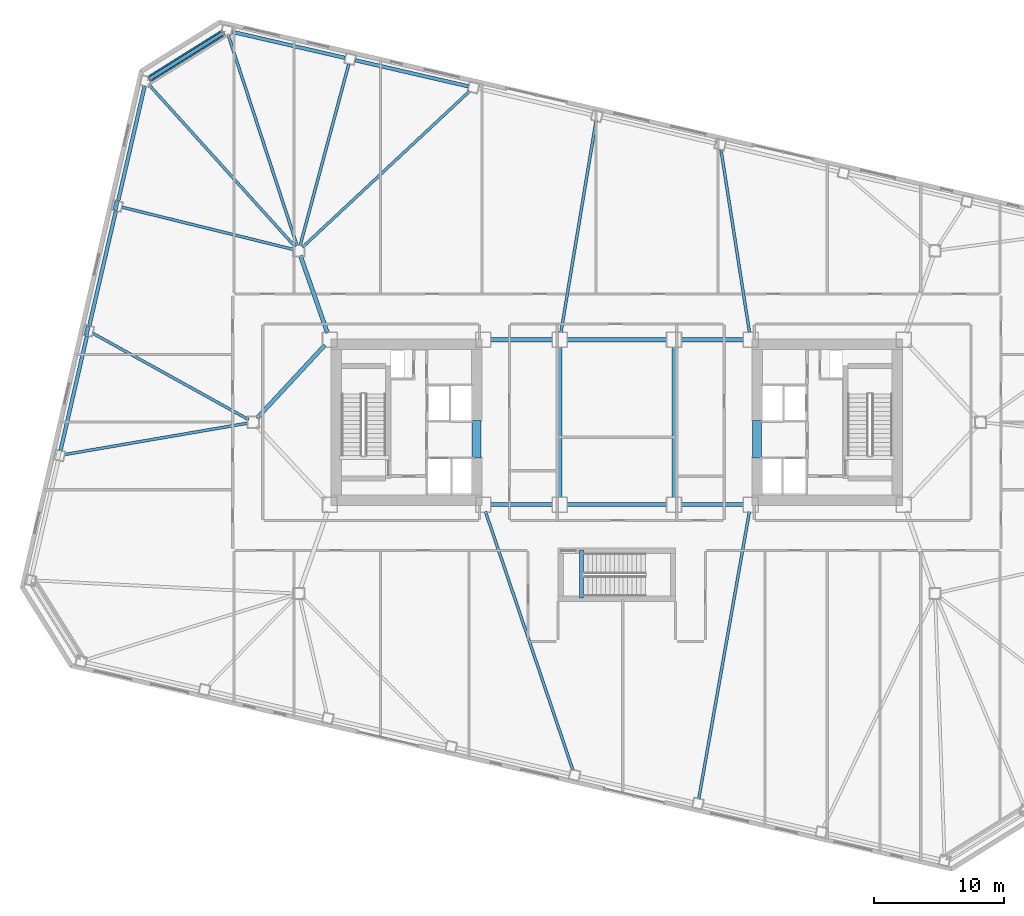
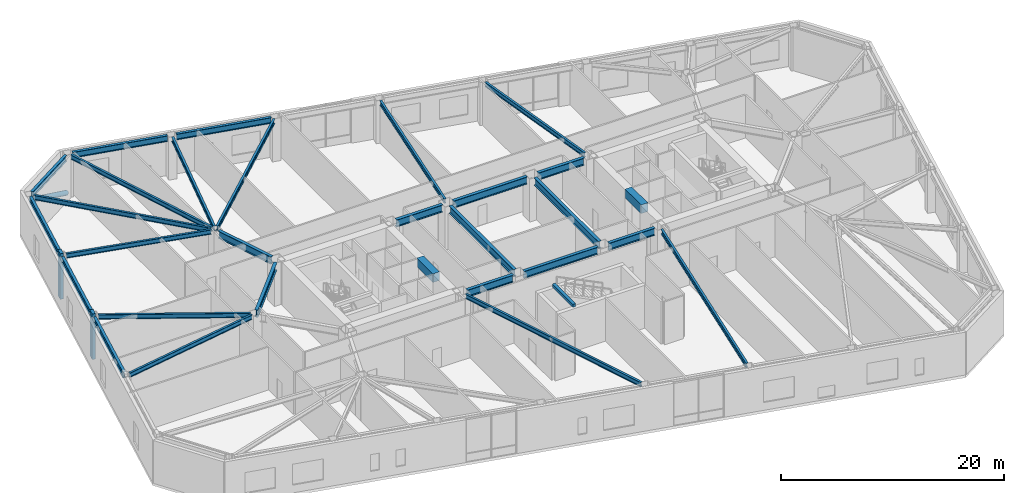
# One storey, part 5 of 20: 30 beams, 3 members.
"""IFC4 building model written with IfcOpenShell, lengths in metres."""

from ifc_helpers import new_model, si_unit, direction, frame, origin, origin_2d, place, context, subcontext, project, spatial, rectangle, hollow_circle, i_section, extrude, material, material_profile, profile_set, type_object, element, save


model = new_model("IFC4")

# Units and contexts
model_context = context("Model", 3, precision=1e-05, world=origin(), true_north=direction((0.0, 1.0)))
body_context = subcontext(model_context, "Body", "Model", "MODEL_VIEW")
ifc_project = project(units=[si_unit("LENGTHUNIT", "METRE"), si_unit("AREAUNIT", "SQUARE_METRE"), si_unit("VOLUMEUNIT", "CUBIC_METRE"), si_unit("PLANEANGLEUNIT", "RADIAN"), si_unit("MASSUNIT", "GRAM", prefix="KILO")], contexts=[model_context])

# Site, building, storey
site_placement = place(None, origin())
site = spatial("IfcSite", under=ifc_project, at=site_placement, CompositionType="ELEMENT")
building_placement = place(site_placement, origin())
building = spatial("IfcBuilding", under=site, at=building_placement, Name="Tavrogorsk Clinical Tower", CompositionType="ELEMENT")
storey_placement = place(building_placement, frame((0.0, 0.0, 23.39990234375)))
storey = spatial("IfcBuildingStorey", under=building, at=storey_placement, Name="L04", CompositionType="ELEMENT", Elevation=23.39990234375)

# Beams
ifc_material_1 = material(Name="Concrete B80", Category="concrete")
ifc_material_profile_1 = material_profile(ifc_material_1, rectangle(XDim=0.699951171875, YDim=0.949951171875, at=origin_2d()), Name="RC-CB-700x950")
ifc_profile_set_1 = profile_set([ifc_material_profile_1], Name="Concrete B80")
beam_type_1 = type_object("IfcBeamType", Name="CouplingBeam_RC700x950", PredefinedType="LINTEL", material=ifc_profile_set_1)
for number, where, z_axis, x_axis, name in (
    (1, (-10.800048828125, -2.75, 4.22509765625), (0.0, 1.0, 0.0), (-1.0, 0.0, 0.0), "L04 Core West Coupling Beam"),
    (2, (10.800048828125, -2.75, 4.22509765625), (0.0, 1.0, 0.0), (-1.0, 0.0, 0.0), "L04 Core East Coupling Beam"),
):
    element("IfcBeam", number, at=place(storey_placement, frame(where, z_axis=z_axis, x_axis=x_axis)), inside=storey, type_object=beam_type_1, Name=name, PredefinedType="LINTEL", context=body_context, shape_type="SweptSolid", body=[
        extrude(rectangle(XDim=0.699951171875, YDim=0.949951171875, at=origin_2d()), origin(), (0.0, 0.0, 1.0), 2.89990234375),
    ])

# Member
ifc_material_2 = material(Name="Structural steel S440", Category="steel")
ifc_material_profile_2 = material_profile(ifc_material_2, hollow_circle(Radius=0.25390625, WallThickness=0.02001953125, at=origin_2d()), Name="CHS-508x20")
ifc_profile_set_2 = profile_set([ifc_material_profile_2], Name="Structural steel S440")
member_type_1 = type_object("IfcMemberType", Name="ExoBrace_CHS508", PredefinedType="BRACE", material=ifc_profile_set_2)
member_placement = place(storey_placement, frame((-30.348876953125, 29.96337890625, 0.4833984375), z_axis=(-0.757567326236, -0.473364357029, 0.449464049413), x_axis=(0.529906183758, -0.848056269604, 0.0)))
element("IfcMember", 3, at=member_placement, inside=storey, type_object=member_type_1, Name="L04 Corner Exoskeleton Brace N8-W1", PredefinedType="BRACE", context=body_context, shape_type="SweptSolid", body=[
    extrude(hollow_circle(Radius=0.25390625, WallThickness=0.02001953125, at=origin_2d()), origin(), (0.0, 0.0, 1.0), 7.416015625),
])

# Beams
ifc_material_3 = material(Name="Structural steel S355", Category="steel")
ifc_material_profile_3 = material_profile(ifc_material_3, i_section(OverallWidth=0.219970703125, OverallDepth=0.5, WebThickness=0.012939453125, FlangeThickness=0.02001953125, at=origin_2d()), Name="B-500x220x13x20")
ifc_profile_set_3 = profile_set([ifc_material_profile_3], Name="Structural steel S355")
beam_type_2 = type_object("IfcBeamType", Name="FloorBeam_B500", PredefinedType="BEAM", material=ifc_profile_set_3)
beam_1_placement = place(storey_placement, frame((-10.12060546875, -6.88037109375, 4.4501953125), z_axis=(0.320354062285, -0.947297880699, 0.0), x_axis=(0.947297880699, 0.320354062285, 0.0)))
element("IfcBeam", 4, at=beam_1_placement, inside=storey, type_object=beam_type_2, Name="L04 Radial Floor Beam S5", PredefinedType="BEAM", context=body_context, shape_type="SweptSolid", body=[
    extrude(i_section(OverallWidth=0.219970703125, OverallDepth=0.5, WebThickness=0.012939453125, FlangeThickness=0.02001953125, at=origin_2d()), origin(), (0.0, 0.0, 1.0), 21.0185546875),
])
beam_2_placement = place(storey_placement, frame((10.202880859375, -6.901611328125, 4.4501953125), z_axis=(-0.173586433417, -0.984818638194, 0.0), x_axis=(0.984818638194, -0.173586433417, 0.0)))
element("IfcBeam", 5, at=beam_2_placement, inside=storey, type_object=beam_type_2, Name="L04 Radial Floor Beam S6", PredefinedType="BEAM", context=body_context, shape_type="SweptSolid", body=[
    extrude(i_section(OverallWidth=0.219970703125, OverallDepth=0.5, WebThickness=0.012939453125, FlangeThickness=0.02001953125, at=origin_2d()), origin(), (0.0, 0.0, 1.0), 22.407470703125),
])
beam_3_placement = place(storey_placement, frame((10.213623046875, 6.9033203125, 4.4501953125), z_axis=(-0.154089917001, 0.988056829073, 0.0), x_axis=(-0.988056829073, -0.154089917001, 0.0)))
element("IfcBeam", 6, at=beam_3_placement, inside=storey, type_object=beam_type_2, Name="L04 Radial Floor Beam N4", PredefinedType="BEAM", context=body_context, shape_type="SweptSolid", body=[
    extrude(i_section(OverallWidth=0.219970703125, OverallDepth=0.5, WebThickness=0.012939453125, FlangeThickness=0.02001953125, at=origin_2d()), origin(), (0.0, 0.0, 1.0), 14.24853515625),
])
beam_4_placement = place(storey_placement, frame((-4.308349609375, 6.90234375, 4.4501953125), z_axis=(0.163563683006, 0.986532777763, 0.0), x_axis=(-0.986532777763, 0.163563683006, 0.0)))
element("IfcBeam", 7, at=beam_4_placement, inside=storey, type_object=beam_type_2, Name="L04 Radial Floor Beam N5", PredefinedType="BEAM", context=body_context, shape_type="SweptSolid", body=[
    extrude(i_section(OverallWidth=0.219970703125, OverallDepth=0.5, WebThickness=0.012939453125, FlangeThickness=0.02001953125, at=origin_2d()), origin(), (0.0, 0.0, 1.0), 16.4951171875),
])
beam_5_placement = place(storey_placement, frame((-24.200439453125, 13.47998046875, 4.4501953125), z_axis=(0.730781163302, 0.682611816015, 0.0), x_axis=(-0.682611816015, 0.730781163302, 0.0)))
element("IfcBeam", 8, at=beam_5_placement, inside=storey, type_object=beam_type_2, Name="L04 Radial Floor Beam N6", PredefinedType="BEAM", context=body_context, shape_type="SweptSolid", body=[
    extrude(i_section(OverallWidth=0.219970703125, OverallDepth=0.5, WebThickness=0.012939453125, FlangeThickness=0.02001953125, at=origin_2d()), origin(), (0.0, 0.0, 1.0), 17.597412109375),
])
beam_6_placement = place(storey_placement, frame((-24.393798828125, 13.595947265625, 4.4501953125), z_axis=(0.25900262632, 0.965876617151, 0.0), x_axis=(-0.965876617151, 0.25900262632, 0.0)))
element("IfcBeam", 9, at=beam_6_placement, inside=storey, type_object=beam_type_2, Name="L04 Radial Floor Beam N7", PredefinedType="BEAM", context=body_context, shape_type="SweptSolid", body=[
    extrude(i_section(OverallWidth=0.219970703125, OverallDepth=0.5, WebThickness=0.012939453125, FlangeThickness=0.02001953125, at=origin_2d()), origin(), (0.0, 0.0, 1.0), 14.46728515625),
])
beam_7_placement = place(storey_placement, frame((-24.62744140625, 13.58984375, 4.4501953125), z_axis=(-0.310546210819, 0.950558283824, 0.0), x_axis=(-0.950558283824, -0.310546210819, 0.0)))
element("IfcBeam", 10, at=beam_7_placement, inside=storey, type_object=beam_type_2, Name="L04 Radial Floor Beam N8", PredefinedType="BEAM", context=body_context, shape_type="SweptSolid", body=[
    extrude(i_section(OverallWidth=0.219970703125, OverallDepth=0.5, WebThickness=0.012939453125, FlangeThickness=0.02001953125, at=origin_2d()), origin(), (0.0, 0.0, 1.0), 17.0205078125),
])
beam_8_placement = place(storey_placement, frame((-24.774658203125, 13.50439453125, 4.4501953125), z_axis=(-0.669660294237, 0.742667550337, 0.0), x_axis=(-0.742667550337, -0.669660294237, 0.0)))
element("IfcBeam", 11, at=beam_8_placement, inside=storey, type_object=beam_type_2, Name="L04 Radial Floor Beam W1", PredefinedType="BEAM", context=body_context, shape_type="SweptSolid", body=[
    extrude(i_section(OverallWidth=0.219970703125, OverallDepth=0.5, WebThickness=0.012939453125, FlangeThickness=0.02001953125, at=origin_2d()), origin(), (0.0, 0.0, 1.0), 16.76708984375),
])
beam_9_placement = place(storey_placement, frame((-24.89794921875, 13.298095703125, 4.4501953125), z_axis=(-0.970889910259, 0.23952616174, 0.0), x_axis=(-0.23952616174, -0.970889910259, 0.0)))
element("IfcBeam", 12, at=beam_9_placement, inside=storey, type_object=beam_type_2, Name="L04 Radial Floor Beam W2", PredefinedType="BEAM", context=body_context, shape_type="SweptSolid", body=[
    extrude(i_section(OverallWidth=0.219970703125, OverallDepth=0.5, WebThickness=0.012939453125, FlangeThickness=0.02001953125, at=origin_2d()), origin(), (0.0, 0.0, 1.0), 13.595947265625),
])
beam_10_placement = place(storey_placement, frame((-28.358642578125, 0.19873046875, 4.4501953125), z_axis=(-0.874654711976, 0.484746464472, 0.0), x_axis=(-0.484746464472, -0.874654711976, 0.0)))
element("IfcBeam", 13, at=beam_10_placement, inside=storey, type_object=beam_type_2, Name="L04 Radial Floor Beam W3", PredefinedType="BEAM", context=body_context, shape_type="SweptSolid", body=[
    extrude(i_section(OverallWidth=0.219970703125, OverallDepth=0.5, WebThickness=0.012939453125, FlangeThickness=0.02001953125, at=origin_2d()), origin(), (0.0, 0.0, 1.0), 13.7158203125),
])
beam_11_placement = place(storey_placement, frame((-28.404052734375, -0.0693359375, 4.4501953125), z_axis=(-0.985592408786, -0.169137824698, 0.0), x_axis=(0.169137824698, -0.985592408786, 0.0)))
element("IfcBeam", 14, at=beam_11_placement, inside=storey, type_object=beam_type_2, Name="L04 Radial Floor Beam W4", PredefinedType="BEAM", context=body_context, shape_type="SweptSolid", body=[
    extrude(i_section(OverallWidth=0.219970703125, OverallDepth=0.5, WebThickness=0.012939453125, FlangeThickness=0.02001953125, at=origin_2d()), origin(), (0.0, 0.0, 1.0), 14.33056640625),
])

# Members
ifc_material_4 = material(Name="Precast concrete B45 with limestone cladding", Category="masonry")
ifc_material_profile_4 = material_profile(ifc_material_4, rectangle(XDim=0.320068359375, YDim=0.719970703125, at=origin_2d()), Name="LIMESTONE-FIN-320x720")
ifc_profile_set_4 = profile_set([ifc_material_profile_4], Name="Precast concrete B45 with limestone cladding")
member_type_2 = type_object("IfcMemberType", Name="LimestonePleatFin_320x720", PredefinedType="USERDEFINED", material=ifc_profile_set_4)
for number, where, z_axis, x_axis, name in (
    (15, (-38.572265625, 16.67041015625, 0.0), (0.0, 0.0, 1.0), (0.974370064785, -0.224951054344, 0.0), "L04 W Pleated Stone Fin 1"),
    (16, (-40.7900390625, 7.06298828125, 0.0), (0.0, 0.0, 1.0), (0.974370064785, -0.224951054344, 0.0), "L04 W Pleated Stone Fin 2"),
):
    element("IfcMember", number, at=place(storey_placement, frame(where, z_axis=z_axis, x_axis=x_axis)), inside=storey, type_object=member_type_2, Name=name, ObjectType="FIN", PredefinedType="USERDEFINED", context=body_context, shape_type="SweptSolid", body=[
        extrude(rectangle(XDim=0.320068359375, YDim=0.719970703125, at=origin_2d()), origin(), (0.0, 0.0, 1.0), 5.0),
    ])

# Beams
ifc_material_5 = material(Name="Structural steel S390", Category="steel")
ifc_material_profile_5 = material_profile(ifc_material_5, i_section(OverallWidth=0.320068359375, OverallDepth=0.800048828125, WebThickness=0.02001953125, FlangeThickness=0.033935546875, at=origin_2d()), Name="B-800x320x20x34")
ifc_profile_set_5 = profile_set([ifc_material_profile_5], Name="Structural steel S390")
beam_type_3 = type_object("IfcBeamType", Name="PrimaryGirder_B800", PredefinedType="USERDEFINED", material=ifc_profile_set_5)
for number, where, z_axis, x_axis, name in (
    (17, (-9.739990234375, -6.35009765625, 4.300048828125), (1.0, 0.0, 0.0), (0.0, 1.0, 0.0), "L04 Primary Spine Girder MG-01"),
    (18, (-9.739990234375, 6.35009765625, 4.300048828125), (1.0, 0.0, 0.0), (0.0, 1.0, 0.0), "L04 Primary Spine Girder MG-02"),
):
    element("IfcBeam", number, at=place(storey_placement, frame(where, z_axis=z_axis, x_axis=x_axis)), inside=storey, type_object=beam_type_3, Name=name, ObjectType="GIRDER", PredefinedType="USERDEFINED", context=body_context, shape_type="SweptSolid", body=[
        extrude(i_section(OverallWidth=0.320068359375, OverallDepth=0.800048828125, WebThickness=0.02001953125, FlangeThickness=0.033935546875, at=origin_2d()), origin(), (0.0, 0.0, 1.0), 4.780029296875),
    ])
for number, where, z_axis, x_axis, name in (
    (19, (-3.840087890625, -6.35009765625, 4.300048828125), (1.0, 0.0, 0.0), (0.0, 1.0, 0.0), "L04 Primary Spine Girder MG-03"),
    (20, (-3.840087890625, 6.35009765625, 4.300048828125), (1.0, 0.0, 0.0), (0.0, 1.0, 0.0), "L04 Primary Spine Girder MG-04"),
):
    element("IfcBeam", number, at=place(storey_placement, frame(where, z_axis=z_axis, x_axis=x_axis)), inside=storey, type_object=beam_type_3, Name=name, ObjectType="GIRDER", PredefinedType="USERDEFINED", context=body_context, shape_type="SweptSolid", body=[
        extrude(i_section(OverallWidth=0.320068359375, OverallDepth=0.800048828125, WebThickness=0.02001953125, FlangeThickness=0.033935546875, at=origin_2d()), origin(), (0.0, 0.0, 1.0), 7.68017578125),
    ])
for number, where, z_axis, x_axis, name in (
    (21, (4.9599609375, -6.35009765625, 4.300048828125), (1.0, 0.0, 0.0), (0.0, 1.0, 0.0), "L04 Primary Spine Girder MG-05"),
    (22, (4.9599609375, 6.35009765625, 4.300048828125), (1.0, 0.0, 0.0), (0.0, 1.0, 0.0), "L04 Primary Spine Girder MG-06"),
):
    element("IfcBeam", number, at=place(storey_placement, frame(where, z_axis=z_axis, x_axis=x_axis)), inside=storey, type_object=beam_type_3, Name=name, ObjectType="GIRDER", PredefinedType="USERDEFINED", context=body_context, shape_type="SweptSolid", body=[
        extrude(i_section(OverallWidth=0.320068359375, OverallDepth=0.800048828125, WebThickness=0.02001953125, FlangeThickness=0.033935546875, at=origin_2d()), origin(), (0.0, 0.0, 1.0), 4.780029296875),
    ])
for number, where, z_axis, x_axis, name in (
    (23, (-4.39990234375, -5.7900390625, 4.300048828125), (0.0, 1.0, 0.0), (-1.0, 0.0, 0.0), "L04 Primary Spine Girder MG-07"),
    (24, (4.39990234375, -5.7900390625, 4.300048828125), (0.0, 1.0, 0.0), (-1.0, 0.0, 0.0), "L04 Primary Spine Girder MG-08"),
):
    element("IfcBeam", number, at=place(storey_placement, frame(where, z_axis=z_axis, x_axis=x_axis)), inside=storey, type_object=beam_type_3, Name=name, ObjectType="GIRDER", PredefinedType="USERDEFINED", context=body_context, shape_type="SweptSolid", body=[
        extrude(i_section(OverallWidth=0.320068359375, OverallDepth=0.800048828125, WebThickness=0.02001953125, FlangeThickness=0.033935546875, at=origin_2d()), origin(), (0.0, 0.0, 1.0), 11.580078125),
    ])
beam_12_placement = place(storey_placement, frame((-24.364501953125, 12.81298828125, 4.300048828125), z_axis=(0.330668611543, -0.943746930771, 0.0), x_axis=(0.943746930771, 0.330668611543, 0.0)))
element("IfcBeam", 25, at=beam_12_placement, inside=storey, type_object=beam_type_3, Name="L04 Spine Link Girder OPG-3", ObjectType="GIRDER", PredefinedType="USERDEFINED", context=body_context, shape_type="SweptSolid", body=[
    extrude(i_section(OverallWidth=0.320068359375, OverallDepth=0.800048828125, WebThickness=0.02001953125, FlangeThickness=0.033935546875, at=origin_2d()), origin(), (0.0, 0.0, 1.0), 6.288330078125),
])
beam_13_placement = place(storey_placement, frame((-27.720947265625, 0.30029296875, 4.300048828125), z_axis=(0.680671250221, 0.732589004233, 0.0), x_axis=(-0.732589004233, 0.680671250221, 0.0)))
element("IfcBeam", 26, at=beam_13_placement, inside=storey, type_object=beam_type_3, Name="L04 Spine Link Girder OPG-6", ObjectType="GIRDER", PredefinedType="USERDEFINED", context=body_context, shape_type="SweptSolid", body=[
    extrude(i_section(OverallWidth=0.320068359375, OverallDepth=0.800048828125, WebThickness=0.02001953125, FlangeThickness=0.033935546875, at=origin_2d()), origin(), (0.0, 0.0, 1.0), 7.697998046875),
])
ifc_material_6 = material(Name="Structural steel S390", Category="steel")
ifc_material_profile_6 = material_profile(ifc_material_6, i_section(OverallWidth=0.280029296875, OverallDepth=0.64990234375, WebThickness=0.01611328125, FlangeThickness=0.02490234375, at=origin_2d()), Name="B-650x280x16x25")
ifc_profile_set_6 = profile_set([ifc_material_profile_6], Name="Structural steel S390")
beam_type_4 = type_object("IfcBeamType", Name="SpandrelBeam_B650", PredefinedType="SPANDREL", material=ifc_profile_set_6)
for number, where, z_axis, x_axis, name in (
    (27, (-11.43994140625, 25.862548828125, 4.375), (-0.974372766602, 0.224939351168, 0.0), (-0.224939351168, -0.974372766602, 0.0), "L04 Perimeter Spandrel N6-N7"),
    (28, (-20.9384765625, 28.055419921875, 4.375), (-0.974366775889, 0.224965299645, 0.0), (-0.224965299645, -0.974366775889, 0.0), "L04 Perimeter Spandrel N7-N8"),
):
    element("IfcBeam", number, at=place(storey_placement, frame(where, z_axis=z_axis, x_axis=x_axis)), inside=storey, type_object=beam_type_4, Name=name, PredefinedType="SPANDREL", context=body_context, shape_type="SweptSolid", body=[
        extrude(i_section(OverallWidth=0.280029296875, OverallDepth=0.64990234375, WebThickness=0.01611328125, FlangeThickness=0.02490234375, at=origin_2d()), origin(), (0.0, 0.0, 1.0), 8.9326171875),
    ])
beam_14_placement = place(storey_placement, frame((-30.3857421875, 29.9404296875, 4.375), z_axis=(-0.848044454239, -0.529925092475, 0.0), x_axis=(0.529925092475, -0.848044454239, 0.0)))
element("IfcBeam", 29, at=beam_14_placement, inside=storey, type_object=beam_type_4, Name="L04 Perimeter Spandrel N8-W1", PredefinedType="SPANDREL", context=body_context, shape_type="SweptSolid", body=[
    extrude(i_section(OverallWidth=0.280029296875, OverallDepth=0.64990234375, WebThickness=0.01611328125, FlangeThickness=0.02490234375, at=origin_2d()), origin(), (0.0, 0.0, 1.0), 6.537841796875),
])
beam_15_placement = place(storey_placement, frame((-36.367919921875, 25.862060546875, 4.375), z_axis=(-0.224952169462, -0.974369807339, 0.0), x_axis=(0.974369807339, -0.224952169462, 0.0)))
element("IfcBeam", 30, at=beam_15_placement, inside=storey, type_object=beam_type_4, Name="L04 Perimeter Spandrel W1-W2", PredefinedType="SPANDREL", context=body_context, shape_type="SweptSolid", body=[
    extrude(i_section(OverallWidth=0.280029296875, OverallDepth=0.64990234375, WebThickness=0.01611328125, FlangeThickness=0.02490234375, at=origin_2d()), origin(), (0.0, 0.0, 1.0), 9.043701171875),
])
beam_16_placement = place(storey_placement, frame((-38.5859375, 16.2548828125, 4.375), z_axis=(-0.224946252597, -0.974371173343, 0.0), x_axis=(0.974371173343, -0.224946252597, 0.0)))
element("IfcBeam", 31, at=beam_16_placement, inside=storey, type_object=beam_type_4, Name="L04 Perimeter Spandrel W2-W3", PredefinedType="SPANDREL", context=body_context, shape_type="SweptSolid", body=[
    extrude(i_section(OverallWidth=0.280029296875, OverallDepth=0.64990234375, WebThickness=0.01611328125, FlangeThickness=0.02490234375, at=origin_2d()), origin(), (0.0, 0.0, 1.0), 9.0439453125),
])
beam_17_placement = place(storey_placement, frame((-40.803955078125, 6.6474609375, 4.375), z_axis=(-0.224952169462, -0.974369807339, 0.0), x_axis=(0.974369807339, -0.224952169462, 0.0)))
element("IfcBeam", 32, at=beam_17_placement, inside=storey, type_object=beam_type_4, Name="L04 Perimeter Spandrel W3-W4", PredefinedType="SPANDREL", context=body_context, shape_type="SweptSolid", body=[
    extrude(i_section(OverallWidth=0.280029296875, OverallDepth=0.64990234375, WebThickness=0.01611328125, FlangeThickness=0.02490234375, at=origin_2d()), origin(), (0.0, 0.0, 1.0), 9.043701171875),
])
ifc_material_7 = material(Name="Concrete B60", Category="concrete")
ifc_material_profile_7 = material_profile(ifc_material_7, rectangle(XDim=0.300048828125, YDim=0.35009765625, at=origin_2d()), Name="RC-SHB-300x350")
ifc_profile_set_7 = profile_set([ifc_material_profile_7], Name="Concrete B60")
beam_type_5 = type_object("IfcBeamType", Name="StairHeaderBeam_RC300x350", PredefinedType="BEAM", material=ifc_profile_set_7)
beam_18_placement = place(storey_placement, frame((-2.719970703125, -13.550048828125, 4.8251953125), z_axis=(0.0, 1.0, 0.0), x_axis=(-1.0, 0.0, 0.0)))
element("IfcBeam", 33, at=beam_18_placement, inside=storey, type_object=beam_type_5, Name="L05 ST-P Landing Header Beam", PredefinedType="BEAM", context=body_context, shape_type="SweptSolid", body=[
    extrude(rectangle(XDim=0.300048828125, YDim=0.35009765625, at=origin_2d()), origin(), (0.0, 0.0, 1.0), 3.699951171875),
])

save(model, "model.ifc")
